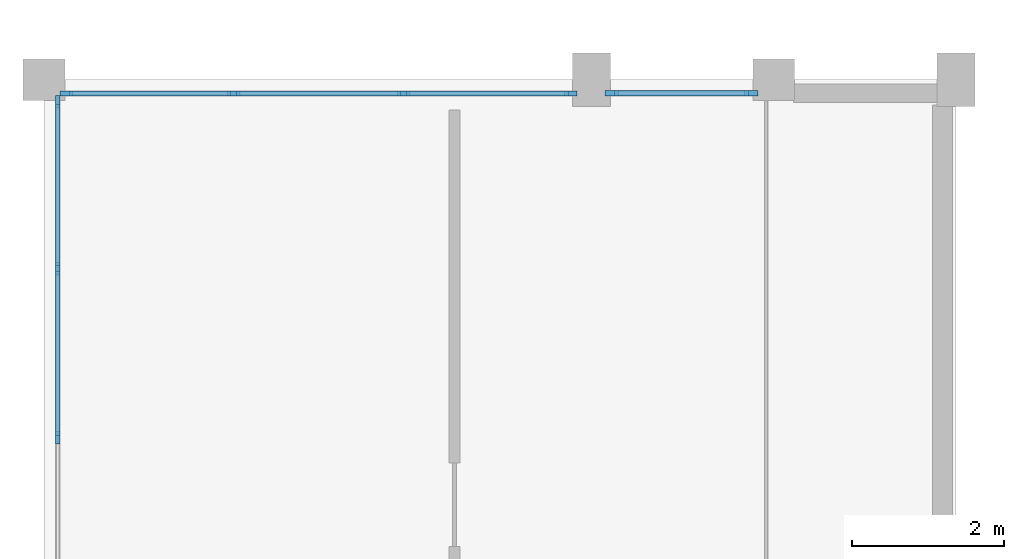
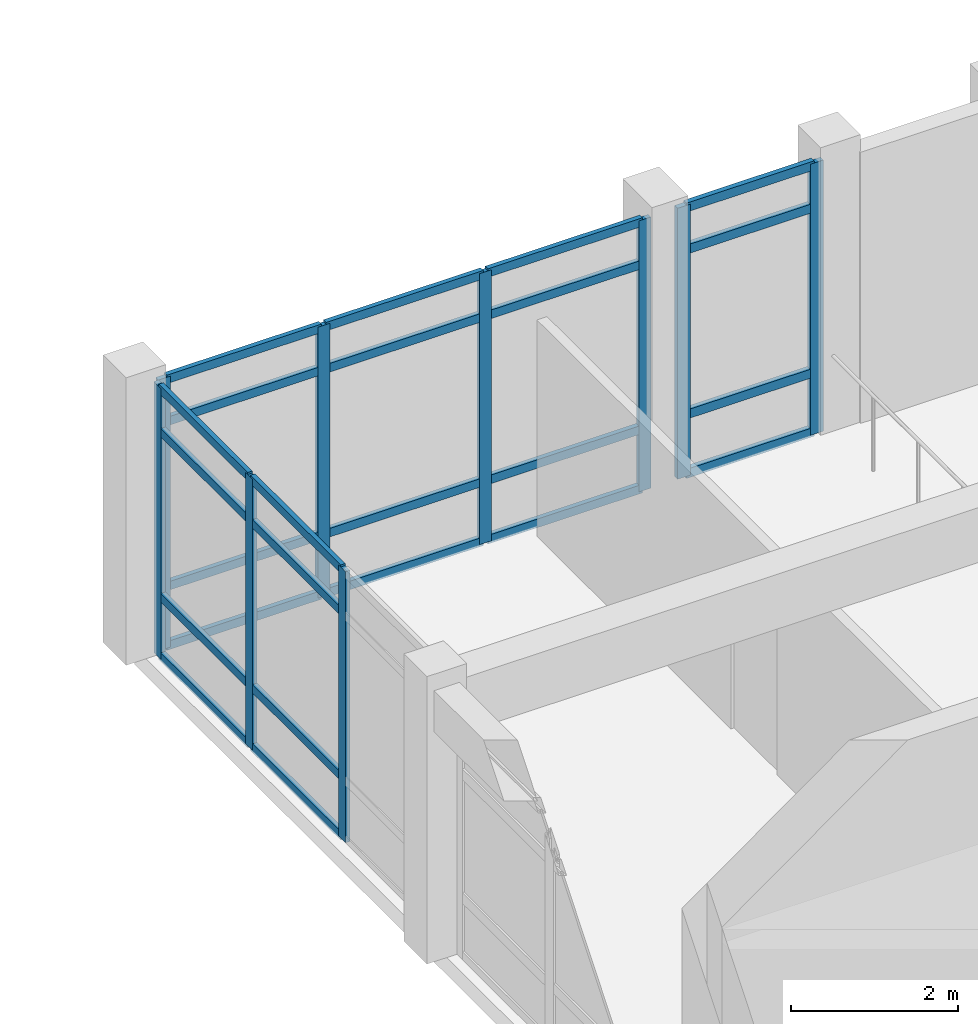
# One storey, part 11 of 47: 33 members, 3 elements without a shape of their own.
"""IFC4 building model written with IfcOpenShell, lengths in metres."""

from ifc_helpers import new_model, si_unit, direction, frame, origin, origin_2d, place, context, subcontext, project, spatial, rectangle, extrude, material, layer, layer_set, material_profile, profile_set, type_object, element, aggregate, save


model = new_model("IFC4")

# Units and contexts
model_context = context("Model", 3, precision=1e-05, world=origin(), true_north=direction((0.0, 1.0)))
body_context = subcontext(model_context, "Body", "Model", "MODEL_VIEW")
ifc_project = project(units=[si_unit("LENGTHUNIT", "METRE"), si_unit("AREAUNIT", "SQUARE_METRE"), si_unit("VOLUMEUNIT", "CUBIC_METRE"), si_unit("PLANEANGLEUNIT", "RADIAN"), si_unit("MASSUNIT", "GRAM", prefix="KILO")], contexts=[model_context])

# Site, building, storey
site_placement = place(None, origin())
site = spatial("IfcSite", under=ifc_project, at=site_placement, CompositionType="ELEMENT")
building_placement = place(site_placement, origin())
building = spatial("IfcBuilding", under=site, at=building_placement, Name="Brisavento Harbour Community Centre", CompositionType="ELEMENT")
storey_placement = place(building_placement, frame((0.0, 0.0, 8.699951171875)))
storey = spatial("IfcBuildingStorey", under=building, at=storey_placement, Name="L02", CompositionType="ELEMENT", Elevation=8.699951171875)

# Curtain wall, members
ifc_material = material(Name="Marine-anodised aluminium AW-6063-T6", Category="aluminium")
ifc_layer_1 = layer(ifc_material, 0.179931640625, Name="Marine-anodised aluminium AW-6063-T6")
ifc_layer_set_1 = layer_set([ifc_layer_1], Name="Marine-anodised aluminium AW-6063-T6")
curtain_wall_type_1 = type_object("IfcCurtainWallType", Name="CW-SYS-01", PredefinedType="USERDEFINED", material=ifc_layer_set_1)
curtain_wall_1_placement = place(storey_placement, origin())
curtain_wall_1 = element("IfcCurtainWall", 1, at=curtain_wall_1_placement, inside=storey, type_object=curtain_wall_type_1, Name="L02 V1 unitised curtain wall 113", ObjectType="UNITISED CURTAIN WALL", PredefinedType="USERDEFINED")
ifc_material_profile_1 = material_profile(ifc_material, rectangle(XDim=0.06494140625, YDim=0.1650390625, at=origin_2d()), Name="Marine-anodised aluminium AW-6063-T6")
ifc_profile_set_1 = profile_set([ifc_material_profile_1], Name="Marine-anodised aluminium AW-6063-T6")
member_type_1 = type_object("IfcMemberType", Name="CWM-01", PredefinedType="MULLION", material=ifc_profile_set_1)
member_1_placement = place(storey_placement, frame((0.29248046875, 35.820068359375, 0.0), z_axis=(0.0, 0.0, 1.0), x_axis=(0.0, 1.0, 0.0)))
member_1 = element("IfcMember", 2, at=member_1_placement, type_object=member_type_1, Name="CW-01 mullion 1", PredefinedType="MULLION", context=body_context, shape_type="SweptSolid", body=[
    extrude(rectangle(XDim=0.06494140625, YDim=0.1650390625, at=origin_2d()), origin(), (0.0, 0.0, 1.0), 3.9599609375),
])
member_2_placement = place(storey_placement, frame((2.4951171875, 35.820068359375, 0.0), z_axis=(0.0, 0.0, 1.0), x_axis=(0.0, 1.0, 0.0)))
member_2 = element("IfcMember", 3, at=member_2_placement, type_object=member_type_1, Name="CW-01 mullion 2", PredefinedType="MULLION", context=body_context, shape_type="SweptSolid", body=[
    extrude(rectangle(XDim=0.06494140625, YDim=0.1650390625, at=origin_2d()), origin(), (0.0, 0.0, 1.0), 3.9599609375),
])
member_3_placement = place(storey_placement, frame((4.72998046875, 35.820068359375, 0.0), z_axis=(0.0, 0.0, 1.0), x_axis=(0.0, 1.0, 0.0)))
member_3 = element("IfcMember", 4, at=member_3_placement, type_object=member_type_1, Name="CW-01 mullion 3", PredefinedType="MULLION", context=body_context, shape_type="SweptSolid", body=[
    extrude(rectangle(XDim=0.06494140625, YDim=0.1650390625, at=origin_2d()), origin(), (0.0, 0.0, 1.0), 3.9599609375),
])
member_4_placement = place(storey_placement, frame((6.9326171875, 35.820068359375, 0.0), z_axis=(0.0, 0.0, 1.0), x_axis=(0.0, 1.0, 0.0)))
member_4 = element("IfcMember", 5, at=member_4_placement, type_object=member_type_1, Name="CW-01 mullion 4", PredefinedType="MULLION", context=body_context, shape_type="SweptSolid", body=[
    extrude(rectangle(XDim=0.06494140625, YDim=0.1650390625, at=origin_2d()), origin(), (0.0, 0.0, 1.0), 3.9599609375),
])

ifc_layer_2 = layer(ifc_material, 0.179931640625, Name="Marine-anodised aluminium AW-6063-T6")
ifc_layer_set_2 = layer_set([ifc_layer_2], Name="Marine-anodised aluminium AW-6063-T6")
curtain_wall_type_2 = type_object("IfcCurtainWallType", Name="CW-SYS-05", PredefinedType="USERDEFINED", material=ifc_layer_set_2)
curtain_wall_2_placement = place(storey_placement, origin())
curtain_wall_2 = element("IfcCurtainWall", 6, at=curtain_wall_2_placement, inside=storey, type_object=curtain_wall_type_2, Name="L02 V1 unitised curtain wall 117", ObjectType="UNITISED CURTAIN WALL", PredefinedType="USERDEFINED")
member_5_placement = place(storey_placement, frame((0.179931640625, 31.28662109375, 0.0), z_axis=(0.0, 0.0, 1.0), x_axis=(-1.0, 0.0, 0.0)))
member_5 = element("IfcMember", 7, at=member_5_placement, type_object=member_type_1, Name="CW-05 mullion 2", PredefinedType="MULLION", context=body_context, shape_type="SweptSolid", body=[
    extrude(rectangle(XDim=0.06494140625, YDim=0.1650390625, at=origin_2d()), origin(), (0.0, 0.0, 1.0), 3.9599609375),
])
member_6_placement = place(storey_placement, frame((0.179931640625, 33.513427734375, 0.0), z_axis=(0.0, 0.0, 1.0), x_axis=(-1.0, 0.0, 0.0)))
member_6 = element("IfcMember", 8, at=member_6_placement, type_object=member_type_1, Name="CW-05 mullion 3", PredefinedType="MULLION", context=body_context, shape_type="SweptSolid", body=[
    extrude(rectangle(XDim=0.06494140625, YDim=0.1650390625, at=origin_2d()), origin(), (0.0, 0.0, 1.0), 3.9599609375),
])
member_7_placement = place(storey_placement, frame((0.179931640625, 35.70751953125, 0.0), z_axis=(0.0, 0.0, 1.0), x_axis=(-1.0, 0.0, 0.0)))
member_7 = element("IfcMember", 9, at=member_7_placement, type_object=member_type_1, Name="CW-05 mullion 4", PredefinedType="MULLION", context=body_context, shape_type="SweptSolid", body=[
    extrude(rectangle(XDim=0.06494140625, YDim=0.1650390625, at=origin_2d()), origin(), (0.0, 0.0, 1.0), 3.9599609375),
])

ifc_layer_3 = layer(ifc_material, 0.179931640625, Name="Marine-anodised aluminium AW-6063-T6")
ifc_layer_set_3 = layer_set([ifc_layer_3], Name="Marine-anodised aluminium AW-6063-T6")
curtain_wall_type_3 = type_object("IfcCurtainWallType", Name="CW-SYS-02", PredefinedType="USERDEFINED", material=ifc_layer_set_3)
curtain_wall_3_placement = place(storey_placement, origin())
curtain_wall_3 = element("IfcCurtainWall", 10, at=curtain_wall_3_placement, inside=storey, type_object=curtain_wall_type_3, Name="L02 V1 unitised curtain wall 114", ObjectType="UNITISED CURTAIN WALL", PredefinedType="USERDEFINED")
ifc_material_profile_2 = material_profile(ifc_material, rectangle(XDim=0.070068359375, YDim=0.179931640625, at=origin_2d()), Name="Marine-anodised aluminium AW-6063-T6")
ifc_profile_set_2 = profile_set([ifc_material_profile_2], Name="Marine-anodised aluminium AW-6063-T6")
member_type_2 = type_object("IfcMemberType", Name="CWM-02", PredefinedType="MULLION", material=ifc_profile_set_2)
member_8_placement = place(storey_placement, frame((7.469970703125, 35.820068359375, 0.0), z_axis=(0.0, 0.0, 1.0), x_axis=(0.0, 1.0, 0.0)))
member_8 = element("IfcMember", 11, at=member_8_placement, type_object=member_type_2, Name="CW-02 mullion 1", PredefinedType="MULLION", context=body_context, shape_type="SweptSolid", body=[
    extrude(rectangle(XDim=0.070068359375, YDim=0.179931640625, at=origin_2d()), origin(), (0.0, 0.0, 1.0), 3.9599609375),
])
member_9_placement = place(storey_placement, frame((9.304931640625, 35.820068359375, 0.0), z_axis=(0.0, 0.0, 1.0), x_axis=(0.0, 1.0, 0.0)))
member_9 = element("IfcMember", 12, at=member_9_placement, type_object=member_type_2, Name="CW-02 mullion 2", PredefinedType="MULLION", context=body_context, shape_type="SweptSolid", body=[
    extrude(rectangle(XDim=0.070068359375, YDim=0.179931640625, at=origin_2d()), origin(), (0.0, 0.0, 1.0), 3.9599609375),
])

# Member
ifc_material_profile_3 = material_profile(ifc_material, rectangle(XDim=0.06494140625, YDim=0.125, at=origin_2d()), Name="Marine-anodised aluminium AW-6063-T6")
ifc_profile_set_3 = profile_set([ifc_material_profile_3], Name="Marine-anodised aluminium AW-6063-T6")
member_type_3 = type_object("IfcMemberType", Name="CWT-01", PredefinedType="USERDEFINED", material=ifc_profile_set_3)
member_10_placement = place(storey_placement, frame((0.324951171875, 35.820068359375, 0.032470703125), z_axis=(1.0, 0.0, 0.0), x_axis=(0.0, 1.0, 0.0)))
member_10 = element("IfcMember", 13, at=member_10_placement, type_object=member_type_3, Name="CW-01 transom 1.1", ObjectType="TRANSOM", PredefinedType="USERDEFINED", context=body_context, shape_type="SweptSolid", body=[
    extrude(rectangle(XDim=0.06494140625, YDim=0.125, at=origin_2d()), origin(), (0.0, 0.0, 1.0), 2.137451171875),
])

member_11_placement = place(storey_placement, frame((0.324951171875, 35.820068359375, 0.900146484375), z_axis=(1.0, 0.0, 0.0), x_axis=(0.0, 1.0, 0.0)))
member_11 = element("IfcMember", 14, at=member_11_placement, type_object=member_type_3, Name="CW-01 transom 1.2", ObjectType="TRANSOM", PredefinedType="USERDEFINED", context=body_context, shape_type="SweptSolid", body=[
    extrude(rectangle(XDim=0.06494140625, YDim=0.125, at=origin_2d()), origin(), (0.0, 0.0, 1.0), 2.137451171875),
])

member_12_placement = place(storey_placement, frame((0.324951171875, 35.820068359375, 3.31005859375), z_axis=(1.0, 0.0, 0.0), x_axis=(0.0, 1.0, 0.0)))
member_12 = element("IfcMember", 15, at=member_12_placement, type_object=member_type_3, Name="CW-01 transom 1.3", ObjectType="TRANSOM", PredefinedType="USERDEFINED", context=body_context, shape_type="SweptSolid", body=[
    extrude(rectangle(XDim=0.06494140625, YDim=0.125, at=origin_2d()), origin(), (0.0, 0.0, 1.0), 2.137451171875),
])

member_13_placement = place(storey_placement, frame((0.324951171875, 35.820068359375, 3.927490234375), z_axis=(1.0, 0.0, 0.0), x_axis=(0.0, 1.0, 0.0)))
member_13 = element("IfcMember", 16, at=member_13_placement, type_object=member_type_3, Name="CW-01 transom 1.4", ObjectType="TRANSOM", PredefinedType="USERDEFINED", context=body_context, shape_type="SweptSolid", body=[
    extrude(rectangle(XDim=0.06494140625, YDim=0.125, at=origin_2d()), origin(), (0.0, 0.0, 1.0), 2.137451171875),
])

member_14_placement = place(storey_placement, frame((2.527587890625, 35.820068359375, 0.032470703125), z_axis=(1.0, 0.0, 0.0), x_axis=(0.0, 1.0, 0.0)))
member_14 = element("IfcMember", 17, at=member_14_placement, type_object=member_type_3, Name="CW-01 transom 2.1", ObjectType="TRANSOM", PredefinedType="USERDEFINED", context=body_context, shape_type="SweptSolid", body=[
    extrude(rectangle(XDim=0.06494140625, YDim=0.125, at=origin_2d()), origin(), (0.0, 0.0, 1.0), 2.169921875),
])

member_15_placement = place(storey_placement, frame((2.527587890625, 35.820068359375, 0.900146484375), z_axis=(1.0, 0.0, 0.0), x_axis=(0.0, 1.0, 0.0)))
member_15 = element("IfcMember", 18, at=member_15_placement, type_object=member_type_3, Name="CW-01 transom 2.2", ObjectType="TRANSOM", PredefinedType="USERDEFINED", context=body_context, shape_type="SweptSolid", body=[
    extrude(rectangle(XDim=0.06494140625, YDim=0.125, at=origin_2d()), origin(), (0.0, 0.0, 1.0), 2.169921875),
])

member_16_placement = place(storey_placement, frame((2.527587890625, 35.820068359375, 3.31005859375), z_axis=(1.0, 0.0, 0.0), x_axis=(0.0, 1.0, 0.0)))
member_16 = element("IfcMember", 19, at=member_16_placement, type_object=member_type_3, Name="CW-01 transom 2.3", ObjectType="TRANSOM", PredefinedType="USERDEFINED", context=body_context, shape_type="SweptSolid", body=[
    extrude(rectangle(XDim=0.06494140625, YDim=0.125, at=origin_2d()), origin(), (0.0, 0.0, 1.0), 2.169921875),
])

member_17_placement = place(storey_placement, frame((2.527587890625, 35.820068359375, 3.927490234375), z_axis=(1.0, 0.0, 0.0), x_axis=(0.0, 1.0, 0.0)))
member_17 = element("IfcMember", 20, at=member_17_placement, type_object=member_type_3, Name="CW-01 transom 2.4", ObjectType="TRANSOM", PredefinedType="USERDEFINED", context=body_context, shape_type="SweptSolid", body=[
    extrude(rectangle(XDim=0.06494140625, YDim=0.125, at=origin_2d()), origin(), (0.0, 0.0, 1.0), 2.169921875),
])

member_18_placement = place(storey_placement, frame((4.762451171875, 35.820068359375, 0.032470703125), z_axis=(1.0, 0.0, 0.0), x_axis=(0.0, 1.0, 0.0)))
member_18 = element("IfcMember", 21, at=member_18_placement, type_object=member_type_3, Name="CW-01 transom 3.1", ObjectType="TRANSOM", PredefinedType="USERDEFINED", context=body_context, shape_type="SweptSolid", body=[
    extrude(rectangle(XDim=0.06494140625, YDim=0.125, at=origin_2d()), origin(), (0.0, 0.0, 1.0), 2.137451171875),
])

member_19_placement = place(storey_placement, frame((4.762451171875, 35.820068359375, 0.900146484375), z_axis=(1.0, 0.0, 0.0), x_axis=(0.0, 1.0, 0.0)))
member_19 = element("IfcMember", 22, at=member_19_placement, type_object=member_type_3, Name="CW-01 transom 3.2", ObjectType="TRANSOM", PredefinedType="USERDEFINED", context=body_context, shape_type="SweptSolid", body=[
    extrude(rectangle(XDim=0.06494140625, YDim=0.125, at=origin_2d()), origin(), (0.0, 0.0, 1.0), 2.137451171875),
])

member_20_placement = place(storey_placement, frame((4.762451171875, 35.820068359375, 3.31005859375), z_axis=(1.0, 0.0, 0.0), x_axis=(0.0, 1.0, 0.0)))
member_20 = element("IfcMember", 23, at=member_20_placement, type_object=member_type_3, Name="CW-01 transom 3.3", ObjectType="TRANSOM", PredefinedType="USERDEFINED", context=body_context, shape_type="SweptSolid", body=[
    extrude(rectangle(XDim=0.06494140625, YDim=0.125, at=origin_2d()), origin(), (0.0, 0.0, 1.0), 2.137451171875),
])

member_21_placement = place(storey_placement, frame((4.762451171875, 35.820068359375, 3.927490234375), z_axis=(1.0, 0.0, 0.0), x_axis=(0.0, 1.0, 0.0)))
member_21 = element("IfcMember", 24, at=member_21_placement, type_object=member_type_3, Name="CW-01 transom 3.4", ObjectType="TRANSOM", PredefinedType="USERDEFINED", context=body_context, shape_type="SweptSolid", body=[
    extrude(rectangle(XDim=0.06494140625, YDim=0.125, at=origin_2d()), origin(), (0.0, 0.0, 1.0), 2.137451171875),
])

aggregate(curtain_wall_1, [member_1, member_2, member_3, member_4, member_10, member_11, member_12, member_13, member_14, member_15, member_16, member_17, member_18, member_19, member_20, member_21])

member_22_placement = place(storey_placement, frame((0.179931640625, 31.319091796875, 0.032470703125), z_axis=(0.0, 1.0, 0.0), x_axis=(-1.0, 0.0, 0.0)))
member_22 = element("IfcMember", 25, at=member_22_placement, type_object=member_type_3, Name="CW-05 transom 2.1", ObjectType="TRANSOM", PredefinedType="USERDEFINED", context=body_context, shape_type="SweptSolid", body=[
    extrude(rectangle(XDim=0.06494140625, YDim=0.125, at=origin_2d()), origin(), (0.0, 0.0, 1.0), 2.16162109375),
])

member_23_placement = place(storey_placement, frame((0.179931640625, 31.319091796875, 0.900146484375), z_axis=(0.0, 1.0, 0.0), x_axis=(-1.0, 0.0, 0.0)))
member_23 = element("IfcMember", 26, at=member_23_placement, type_object=member_type_3, Name="CW-05 transom 2.2", ObjectType="TRANSOM", PredefinedType="USERDEFINED", context=body_context, shape_type="SweptSolid", body=[
    extrude(rectangle(XDim=0.06494140625, YDim=0.125, at=origin_2d()), origin(), (0.0, 0.0, 1.0), 2.16162109375),
])

member_24_placement = place(storey_placement, frame((0.179931640625, 31.319091796875, 3.31005859375), z_axis=(0.0, 1.0, 0.0), x_axis=(-1.0, 0.0, 0.0)))
member_24 = element("IfcMember", 27, at=member_24_placement, type_object=member_type_3, Name="CW-05 transom 2.3", ObjectType="TRANSOM", PredefinedType="USERDEFINED", context=body_context, shape_type="SweptSolid", body=[
    extrude(rectangle(XDim=0.06494140625, YDim=0.125, at=origin_2d()), origin(), (0.0, 0.0, 1.0), 2.16162109375),
])

member_25_placement = place(storey_placement, frame((0.179931640625, 31.319091796875, 3.927490234375), z_axis=(0.0, 1.0, 0.0), x_axis=(-1.0, 0.0, 0.0)))
member_25 = element("IfcMember", 28, at=member_25_placement, type_object=member_type_3, Name="CW-05 transom 2.4", ObjectType="TRANSOM", PredefinedType="USERDEFINED", context=body_context, shape_type="SweptSolid", body=[
    extrude(rectangle(XDim=0.06494140625, YDim=0.125, at=origin_2d()), origin(), (0.0, 0.0, 1.0), 2.16162109375),
])

member_26_placement = place(storey_placement, frame((0.179931640625, 33.5458984375, 0.032470703125), z_axis=(0.0, 1.0, 0.0), x_axis=(-1.0, 0.0, 0.0)))
member_26 = element("IfcMember", 29, at=member_26_placement, type_object=member_type_3, Name="CW-05 transom 3.1", ObjectType="TRANSOM", PredefinedType="USERDEFINED", context=body_context, shape_type="SweptSolid", body=[
    extrude(rectangle(XDim=0.06494140625, YDim=0.125, at=origin_2d()), origin(), (0.0, 0.0, 1.0), 2.129150390625),
])

member_27_placement = place(storey_placement, frame((0.179931640625, 33.5458984375, 0.900146484375), z_axis=(0.0, 1.0, 0.0), x_axis=(-1.0, 0.0, 0.0)))
member_27 = element("IfcMember", 30, at=member_27_placement, type_object=member_type_3, Name="CW-05 transom 3.2", ObjectType="TRANSOM", PredefinedType="USERDEFINED", context=body_context, shape_type="SweptSolid", body=[
    extrude(rectangle(XDim=0.06494140625, YDim=0.125, at=origin_2d()), origin(), (0.0, 0.0, 1.0), 2.129150390625),
])

member_28_placement = place(storey_placement, frame((0.179931640625, 33.5458984375, 3.31005859375), z_axis=(0.0, 1.0, 0.0), x_axis=(-1.0, 0.0, 0.0)))
member_28 = element("IfcMember", 31, at=member_28_placement, type_object=member_type_3, Name="CW-05 transom 3.3", ObjectType="TRANSOM", PredefinedType="USERDEFINED", context=body_context, shape_type="SweptSolid", body=[
    extrude(rectangle(XDim=0.06494140625, YDim=0.125, at=origin_2d()), origin(), (0.0, 0.0, 1.0), 2.129150390625),
])

member_29_placement = place(storey_placement, frame((0.179931640625, 33.5458984375, 3.927490234375), z_axis=(0.0, 1.0, 0.0), x_axis=(-1.0, 0.0, 0.0)))
member_29 = element("IfcMember", 32, at=member_29_placement, type_object=member_type_3, Name="CW-05 transom 3.4", ObjectType="TRANSOM", PredefinedType="USERDEFINED", context=body_context, shape_type="SweptSolid", body=[
    extrude(rectangle(XDim=0.06494140625, YDim=0.125, at=origin_2d()), origin(), (0.0, 0.0, 1.0), 2.129150390625),
])

aggregate(curtain_wall_2, [member_5, member_6, member_7, member_22, member_23, member_24, member_25, member_26, member_27, member_28, member_29])

ifc_material_profile_4 = material_profile(ifc_material, rectangle(XDim=0.070068359375, YDim=0.132080078125, at=origin_2d()), Name="Marine-anodised aluminium AW-6063-T6")
ifc_profile_set_4 = profile_set([ifc_material_profile_4], Name="Marine-anodised aluminium AW-6063-T6")
member_type_4 = type_object("IfcMemberType", Name="CWT-02", PredefinedType="USERDEFINED", material=ifc_profile_set_4)
member_30_placement = place(storey_placement, frame((7.5048828125, 35.820068359375, 0.03515625), z_axis=(1.0, 0.0, 0.0), x_axis=(0.0, 1.0, 0.0)))
member_30 = element("IfcMember", 33, at=member_30_placement, type_object=member_type_4, Name="CW-02 transom 1.1", ObjectType="TRANSOM", PredefinedType="USERDEFINED", context=body_context, shape_type="SweptSolid", body=[
    extrude(rectangle(XDim=0.070068359375, YDim=0.132080078125, at=origin_2d()), origin(), (0.0, 0.0, 1.0), 1.76513671875),
])

member_31_placement = place(storey_placement, frame((7.5048828125, 35.820068359375, 0.900146484375), z_axis=(1.0, 0.0, 0.0), x_axis=(0.0, 1.0, 0.0)))
member_31 = element("IfcMember", 34, at=member_31_placement, type_object=member_type_4, Name="CW-02 transom 1.2", ObjectType="TRANSOM", PredefinedType="USERDEFINED", context=body_context, shape_type="SweptSolid", body=[
    extrude(rectangle(XDim=0.070068359375, YDim=0.132080078125, at=origin_2d()), origin(), (0.0, 0.0, 1.0), 1.76513671875),
])

member_32_placement = place(storey_placement, frame((7.5048828125, 35.820068359375, 3.31005859375), z_axis=(1.0, 0.0, 0.0), x_axis=(0.0, 1.0, 0.0)))
member_32 = element("IfcMember", 35, at=member_32_placement, type_object=member_type_4, Name="CW-02 transom 1.3", ObjectType="TRANSOM", PredefinedType="USERDEFINED", context=body_context, shape_type="SweptSolid", body=[
    extrude(rectangle(XDim=0.070068359375, YDim=0.132080078125, at=origin_2d()), origin(), (0.0, 0.0, 1.0), 1.76513671875),
])

member_33_placement = place(storey_placement, frame((7.5048828125, 35.820068359375, 3.925048828125), z_axis=(1.0, 0.0, 0.0), x_axis=(0.0, 1.0, 0.0)))
member_33 = element("IfcMember", 36, at=member_33_placement, type_object=member_type_4, Name="CW-02 transom 1.4", ObjectType="TRANSOM", PredefinedType="USERDEFINED", context=body_context, shape_type="SweptSolid", body=[
    extrude(rectangle(XDim=0.070068359375, YDim=0.132080078125, at=origin_2d()), origin(), (0.0, 0.0, 1.0), 1.76513671875),
])

aggregate(curtain_wall_3, [member_8, member_9, member_30, member_31, member_32, member_33])

save(model, "model.ifc")
